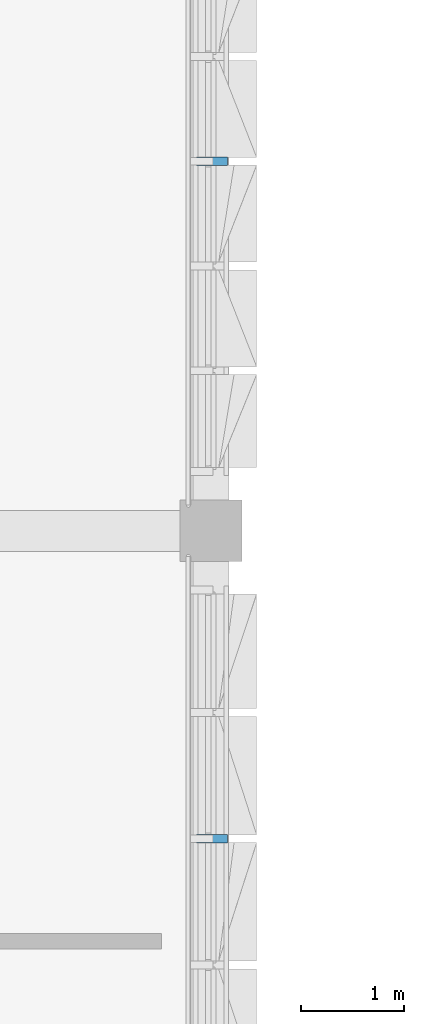
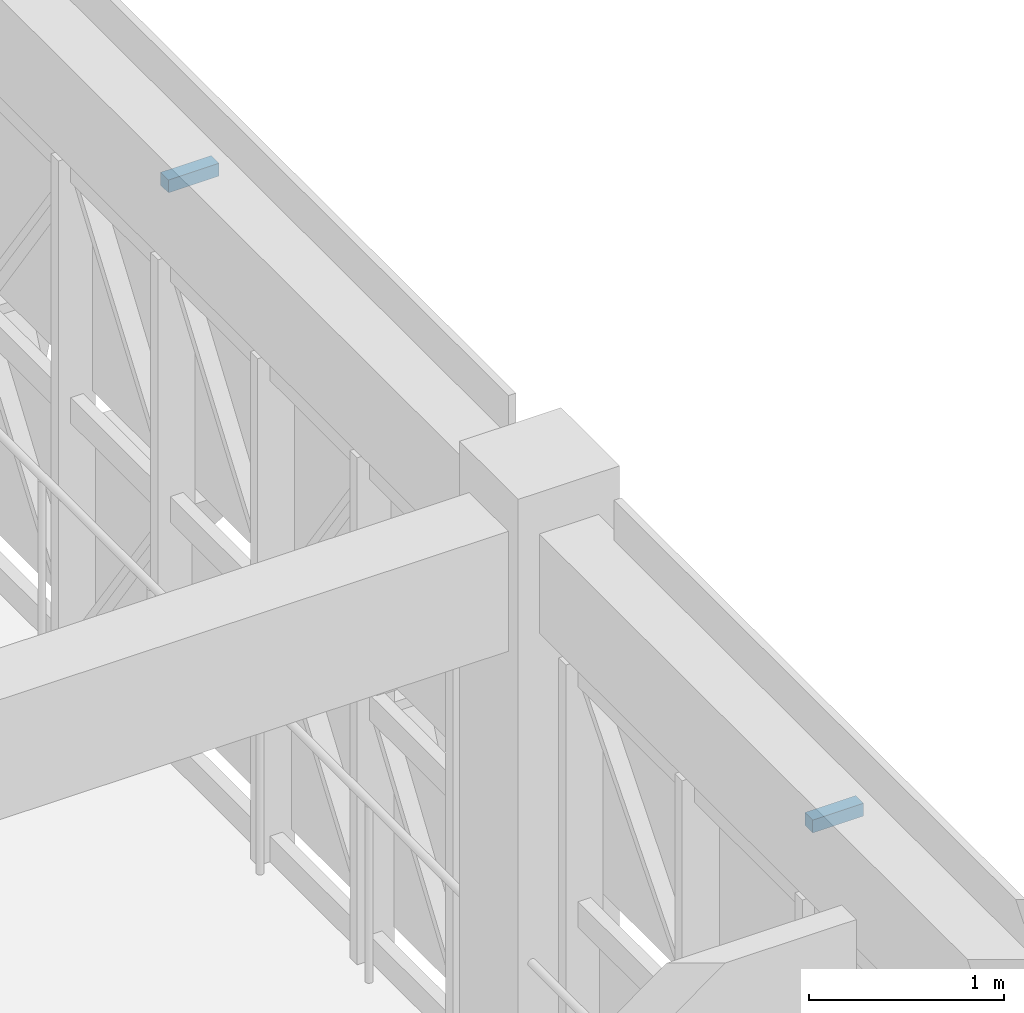
# One storey, part 68 of 88: 2 discrete accessories.
"""IFC4 building model written with IfcOpenShell, lengths in metres."""

from ifc_helpers import new_model, si_unit, direction, frame, origin, origin_2d, place, context, subcontext, project, spatial, rectangle, extrude, material, type_object, element, save


model = new_model("IFC4")

# Units and contexts
model_context = context("Model", 3, precision=1e-05, world=origin(), true_north=direction((0.0, 1.0)))
body_context = subcontext(model_context, "Body", "Model", "MODEL_VIEW")
ifc_project = project(units=[si_unit("LENGTHUNIT", "METRE"), si_unit("AREAUNIT", "SQUARE_METRE"), si_unit("VOLUMEUNIT", "CUBIC_METRE"), si_unit("PLANEANGLEUNIT", "RADIAN"), si_unit("MASSUNIT", "GRAM", prefix="KILO")], contexts=[model_context])

# Site, building, storey
site_placement = place(None, origin())
site = spatial("IfcSite", under=ifc_project, at=site_placement, CompositionType="ELEMENT")
building_placement = place(site_placement, origin())
building = spatial("IfcBuilding", under=site, at=building_placement, Name="Alvorim Cloister Faculty of Sciences", CompositionType="ELEMENT")
storey_placement = place(building_placement, frame((0.0, 0.0, 4.5)))
storey = spatial("IfcBuildingStorey", under=building, at=storey_placement, Name="L01", CompositionType="ELEMENT", Elevation=4.5)

# Discrete accessories
ifc_material = material(Name="Aluminium Alloy 6063-T6", Category="aluminium")
discrete_accessory_type = type_object("IfcDiscreteAccessoryType", Name="ACC-DIAG-BAR", PredefinedType="BRACKET", material=ifc_material)
for number, where, z_axis, x_axis, name in (
    (1, (64.659912109375, 52.800048828125, 3.610107421875), (1.0, 0.0, 0.0), (0.0, 1.0, 0.0), "Slab-Edge Fascia Tie Bracket ACC-00139"),
    (2, (64.659912109375, 46.199951171875, 3.610107421875), (1.0, 0.0, 0.0), (0.0, 1.0, 0.0), "Slab-Edge Fascia Tie Bracket ACC-00148"),
):
    element("IfcDiscreteAccessory", number, at=place(storey_placement, frame(where, z_axis=z_axis, x_axis=x_axis)), inside=storey, type_object=discrete_accessory_type, Name=name, PredefinedType="BRACKET", context=body_context, shape_type="SweptSolid", body=[
        extrude(rectangle(XDim=0.080078125, YDim=0.080078125, at=origin_2d()), origin(), (0.0, 0.0, 1.0), 0.300048828125),
    ])

save(model, "model.ifc")
